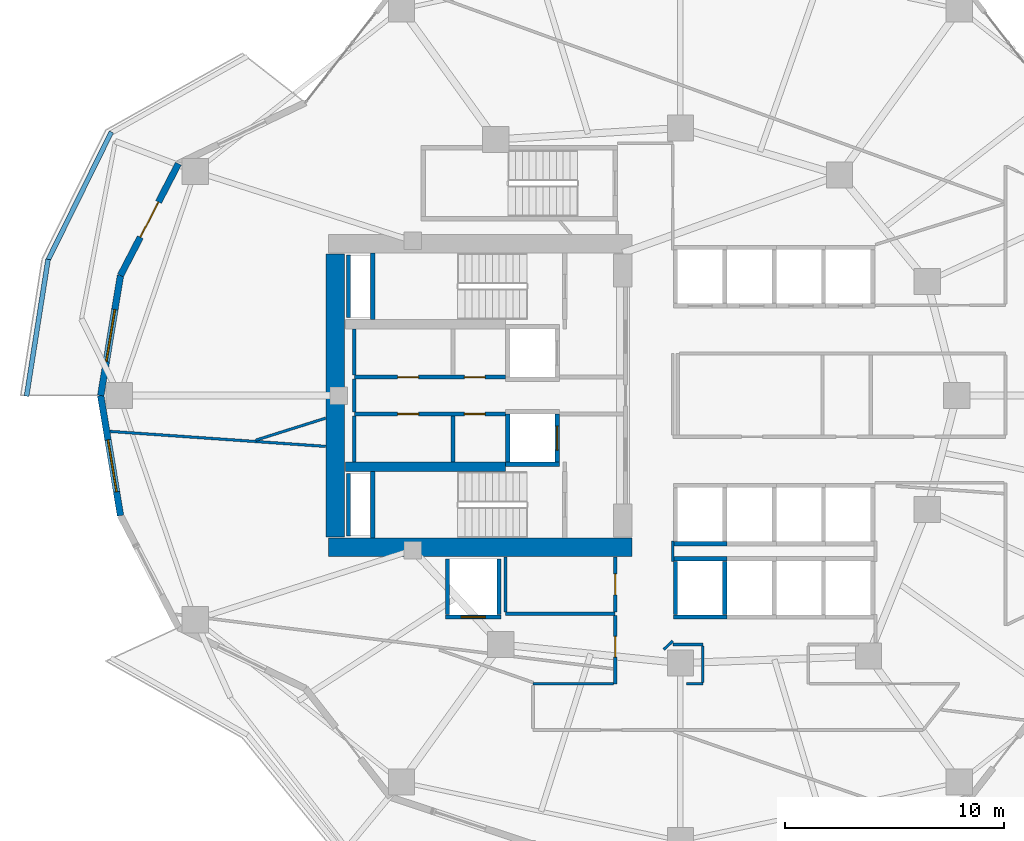
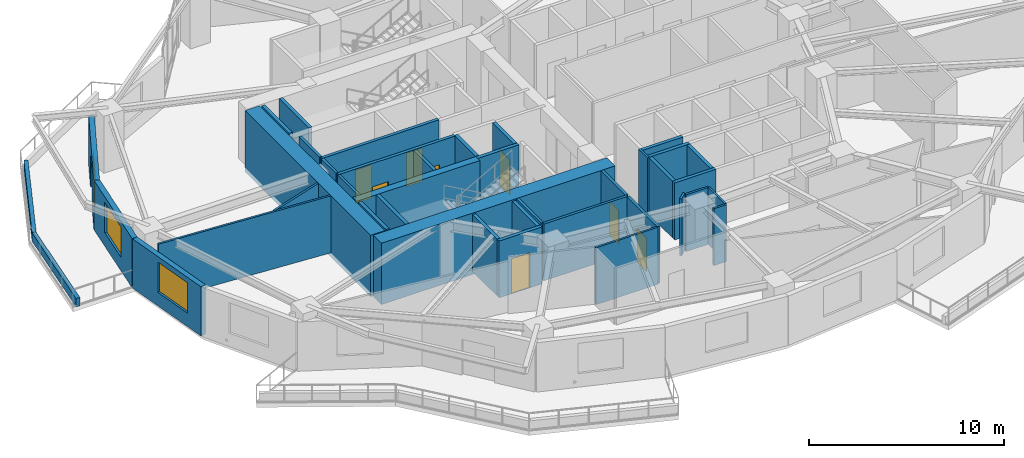
# One storey, part 5 of 12: 41 walls, 9 doors, 2 windows, 11 openings.
"""IFC4 building model written with IfcOpenShell, lengths in metres."""

from ifc_helpers import new_model, si_unit, direction, frame, frame_2d, origin, place, context, subcontext, project, spatial, rectangle, extrude, material, layer, layer_set, type_object, element, fill, save


model = new_model("IFC4")

# Units and contexts
model_context = context("Model", 3, precision=1e-05, world=origin(), true_north=direction((0.0, 1.0)))
body_context = subcontext(model_context, "Body", "Model", "MODEL_VIEW")
ifc_project = project(units=[si_unit("LENGTHUNIT", "METRE"), si_unit("AREAUNIT", "SQUARE_METRE"), si_unit("VOLUMEUNIT", "CUBIC_METRE"), si_unit("PLANEANGLEUNIT", "RADIAN"), si_unit("MASSUNIT", "GRAM", prefix="KILO")], contexts=[model_context])

# Site, building, storey
site_placement = place(None, origin())
site = spatial("IfcSite", under=ifc_project, at=site_placement, CompositionType="ELEMENT")
building_placement = place(site_placement, origin())
building = spatial("IfcBuilding", under=site, at=building_placement, Name="Kolvaren Gate Tower and Convention Centre", CompositionType="ELEMENT")
storey_placement = place(building_placement, frame((0.0, 0.0, 84.25)))
storey = spatial("IfcBuildingStorey", under=building, at=storey_placement, Name="L20", CompositionType="ELEMENT", Elevation=84.25)

# Wall, openings, doors
ifc_material_1 = material(Name="Autoclaved Aerated Masonry Blockwork Class 4 (4.0 MPa)", Category="masonry")
ifc_layer_1 = layer(ifc_material_1, 0.179931640625)
ifc_layer_set_1 = layer_set([ifc_layer_1], Name="Autoclaved Aerated Masonry Blockwork Class 4 (4.0 MPa)")
wall_type_1 = type_object("IfcWallType", Name="ARCH-WL-COMP-180", PredefinedType="SOLIDWALL", material=ifc_layer_set_1)
wall_1_placement = place(storey_placement, frame((15.25, 27.840087890625, 0.0), z_axis=(0.0, 0.0, 1.0), x_axis=(1.0, 0.0, 0.0)))
wall_1 = element("IfcWall", 1, at=wall_1_placement, inside=storey, type_object=wall_type_1, Name="Interior Partition WL-L20-INT-004", PredefinedType="SOLIDWALL", context=body_context, shape_type="SweptSolid", body=[
    extrude(rectangle(XDim=6.89990234375, YDim=0.179931640625, at=frame_2d((3.449951171875, 0.0))), origin(), (0.0, 0.0, 1.0), 3.570068359375),
])
opening_1_placement = place(wall_1_placement, frame((5.02001953125, 0.0, 0.0)))
opening_1 = element("IfcOpeningElement", 2, at=opening_1_placement, cuts=wall_1, Name="Opening DR-01", PredefinedType="OPENING", context=body_context, shape_type="SweptSolid", body=[
    extrude(rectangle(XDim=0.949951171875, YDim=2.10009765625, at=frame_2d((0.47509765625, 1.050048828125))), frame((0.0, 0.099853515625, 0.0), z_axis=(0.0, -1.0, 0.0), x_axis=(1.0, 0.0, 0.0)), (0.0, 0.0, 1.0), 0.199951171875),
])
opening_2_placement = place(wall_1_placement, frame((1.97998046875, 0.0, 0.0)))
opening_2 = element("IfcOpeningElement", 3, at=opening_2_placement, cuts=wall_1, Name="Opening DR-01", PredefinedType="OPENING", context=body_context, shape_type="SweptSolid", body=[
    extrude(rectangle(XDim=0.949951171875, YDim=2.10009765625, at=frame_2d((0.47509765625, 1.050048828125))), frame((0.0, 0.099853515625, 0.0), z_axis=(0.0, -1.0, 0.0), x_axis=(1.0, 0.0, 0.0)), (0.0, 0.0, 1.0), 0.199951171875),
])
ifc_material_2 = material(Name="Painted Architectural Steelwork ASTM A500 Grade C 345 MPa", Category="steel")
door_type_1 = type_object("IfcDoorType", Name="ARCH-DR-RISER-950", OperationType="SINGLE_SWING_RIGHT", PredefinedType="DOOR", material=ifc_material_2)
door_1_placement = place(opening_1_placement, origin())
door_1 = element("IfcDoor", 4, at=door_1_placement, inside=storey, type_object=door_type_1, Name="Electrical Switchgear Closet Door", OperationType="SINGLE_SWING_LEFT", OverallHeight=2.10009765625, OverallWidth=0.949951171875, PredefinedType="DOOR", context=body_context, shape_type="SweptSolid", body=[
    extrude(rectangle(XDim=0.949951171875, YDim=2.10009765625, at=frame_2d((0.47509765625, 1.050048828125))), frame((0.0, 0.02490234375, 0.0), z_axis=(0.0, -1.0, 0.0), x_axis=(1.0, 0.0, 0.0)), (0.0, 0.0, 1.0), 0.050048828125),
])
fill(opening_1, door_1)
door_2_placement = place(opening_2_placement, origin())
door_2 = element("IfcDoor", 5, at=door_2_placement, inside=storey, type_object=door_type_1, Name="Staff Powder Washroom Door", OperationType="SINGLE_SWING_LEFT", OverallHeight=2.10009765625, OverallWidth=0.949951171875, PredefinedType="DOOR", context=body_context, shape_type="SweptSolid", body=[
    extrude(rectangle(XDim=0.949951171875, YDim=2.10009765625, at=frame_2d((0.47509765625, 1.050048828125))), frame((0.0, 0.02490234375, 0.0), z_axis=(0.0, -1.0, 0.0), x_axis=(1.0, 0.0, 0.0)), (0.0, 0.0, 1.0), 0.050048828125),
])
fill(opening_2, door_2)

wall_2_placement = place(storey_placement, frame((15.25, 26.159912109375, 0.0), z_axis=(0.0, 0.0, 1.0), x_axis=(1.0, 0.0, 0.0)))
wall_2 = element("IfcWall", 6, at=wall_2_placement, inside=storey, type_object=wall_type_1, Name="Interior Partition WL-L20-INT-005", PredefinedType="SOLIDWALL", context=body_context, shape_type="SweptSolid", body=[
    extrude(rectangle(XDim=6.89990234375, YDim=0.179931640625, at=frame_2d((3.449951171875, 0.0))), origin(), (0.0, 0.0, 1.0), 3.570068359375),
])
opening_3_placement = place(wall_2_placement, frame((5.02001953125, 0.0, 0.0)))
opening_3 = element("IfcOpeningElement", 7, at=opening_3_placement, cuts=wall_2, Name="Opening DR-01", PredefinedType="OPENING", context=body_context, shape_type="SweptSolid", body=[
    extrude(rectangle(XDim=0.949951171875, YDim=2.10009765625, at=frame_2d((0.47509765625, 1.050048828125))), frame((0.0, 0.099853515625, 0.0), z_axis=(0.0, -1.0, 0.0), x_axis=(1.0, 0.0, 0.0)), (0.0, 0.0, 1.0), 0.199951171875),
])
opening_4_placement = place(wall_2_placement, frame((1.97998046875, 0.0, 0.0)))
opening_4 = element("IfcOpeningElement", 8, at=opening_4_placement, cuts=wall_2, Name="Opening DR-01", PredefinedType="OPENING", context=body_context, shape_type="SweptSolid", body=[
    extrude(rectangle(XDim=0.949951171875, YDim=2.10009765625, at=frame_2d((0.47509765625, 1.050048828125))), frame((0.0, 0.099853515625, 0.0), z_axis=(0.0, -1.0, 0.0), x_axis=(1.0, 0.0, 0.0)), (0.0, 0.0, 1.0), 0.199951171875),
])
door_3_placement = place(opening_3_placement, origin())
door_3 = element("IfcDoor", 9, at=door_3_placement, inside=storey, type_object=door_type_1, Name="Domestic Water Meter Closet Door", OperationType="SINGLE_SWING_RIGHT", OverallHeight=2.10009765625, OverallWidth=0.949951171875, PredefinedType="DOOR", context=body_context, shape_type="SweptSolid", body=[
    extrude(rectangle(XDim=0.949951171875, YDim=2.10009765625, at=frame_2d((0.47509765625, 1.050048828125))), frame((0.0, 0.02490234375, 0.0), z_axis=(0.0, -1.0, 0.0), x_axis=(1.0, 0.0, 0.0)), (0.0, 0.0, 1.0), 0.050048828125),
])
fill(opening_3, door_3)
door_4_placement = place(opening_4_placement, origin())
door_4 = element("IfcDoor", 10, at=door_4_placement, inside=storey, type_object=door_type_1, Name="Janitor Equipment Store Door", OperationType="SINGLE_SWING_RIGHT", OverallHeight=2.10009765625, OverallWidth=0.949951171875, PredefinedType="DOOR", context=body_context, shape_type="SweptSolid", body=[
    extrude(rectangle(XDim=0.949951171875, YDim=2.10009765625, at=frame_2d((0.47509765625, 1.050048828125))), frame((0.0, 0.02490234375, 0.0), z_axis=(0.0, -1.0, 0.0), x_axis=(1.0, 0.0, 0.0)), (0.0, 0.0, 1.0), 0.050048828125),
])
fill(opening_4, door_4)

# Walls
wall_3_placement = place(storey_placement, frame((19.75, 23.9619140625, 0.0), z_axis=(0.0, 0.0, 1.0), x_axis=(0.0, 1.0, 0.0)))
element("IfcWall", 11, at=wall_3_placement, inside=storey, type_object=wall_type_1, Name="Interior Partition WL-L20-INT-007", PredefinedType="SOLIDWALL", context=body_context, shape_type="SweptSolid", body=[
    extrude(rectangle(XDim=2.106201171875, YDim=0.179931640625, at=frame_2d((1.05322265625, 0.0))), origin(), (0.0, 0.0, 1.0), 3.570068359375),
])
ifc_material_3 = material(Name="Fire-Rated Acoustic Gypsum Stud Partition", Category="gypsum")
ifc_layer_2 = layer(ifc_material_3, 0.1201171875)
ifc_layer_set_2 = layer_set([ifc_layer_2], Name="Fire-Rated Acoustic Gypsum Stud Partition")
wall_type_2 = type_object("IfcWallType", Name="ARCH-WL-PART-120", PredefinedType="PARTITIONING", material=ifc_layer_set_2)
wall_4_placement = place(storey_placement, frame((29.780029296875, 15.64990234375, 0.0), z_axis=(0.0, 0.0, 1.0), x_axis=(1.0, 0.0, 0.0)))
element("IfcWall", 12, at=wall_4_placement, inside=storey, type_object=wall_type_2, Name="Interior Partition WL-L20-INT-017", PredefinedType="PARTITIONING", context=body_context, shape_type="SweptSolid", body=[
    extrude(rectangle(XDim=1.369873046875, YDim=0.1201171875, at=frame_2d((0.68505859375, 0.0))), origin(), (0.0, 0.0, 1.0), 3.570068359375),
])
wall_5_placement = place(storey_placement, frame((23.39990234375, 13.85009765625, 0.0), z_axis=(0.0, 0.0, 1.0), x_axis=(1.0, 0.0, 0.0)))
element("IfcWall", 13, at=wall_5_placement, inside=storey, type_object=wall_type_2, Name="Interior Partition WL-L20-INT-020", PredefinedType="PARTITIONING", context=body_context, shape_type="SweptSolid", body=[
    extrude(rectangle(XDim=3.673095703125, YDim=0.1201171875, at=frame_2d((1.83642578125, 0.0))), origin(), (0.0, 0.0, 1.0), 3.570068359375),
])
wall_6_placement = place(storey_placement, frame((30.39111328125, 13.85009765625, 0.0), z_axis=(0.0, 0.0, 1.0), x_axis=(1.0, 0.0, 0.0)))
element("IfcWall", 14, at=wall_6_placement, inside=storey, type_object=wall_type_2, Name="Interior Partition WL-L20-INT-021", PredefinedType="PARTITIONING", context=body_context, shape_type="SweptSolid", body=[
    extrude(rectangle(XDim=0.7587890625, YDim=0.1201171875, at=frame_2d((0.37939453125, 0.0))), origin(), (0.0, 0.0, 1.0), 3.570068359375),
])
wall_7_placement = place(storey_placement, frame((29.780029296875, 19.43994140625, 0.0), z_axis=(0.0, 0.0, 1.0), x_axis=(0.0, 1.0, 0.0)))
element("IfcWall", 15, at=wall_7_placement, inside=storey, type_object=wall_type_2, Name="Interior Partition WL-L20-INT-028", PredefinedType="PARTITIONING", context=body_context, shape_type="SweptSolid", body=[
    extrude(rectangle(XDim=0.920166015625, YDim=0.1201171875, at=frame_2d((0.4599609375, 0.0))), origin(), (0.0, 0.0, 1.0), 3.570068359375),
])
wall_8_placement = place(storey_placement, frame((29.366943359375, 15.422119140625, 0.0), z_axis=(0.0, 0.0, 1.0), x_axis=(0.730667420492, 0.682733564893, 0.0)))
element("IfcWall", 16, at=wall_8_placement, inside=storey, type_object=wall_type_2, Name="Interior Partition WL-L20-INT-040", PredefinedType="PARTITIONING", context=body_context, shape_type="SweptSolid", body=[
    extrude(rectangle(XDim=0.5654296875, YDim=0.1201171875, at=frame_2d((0.28271484375, 0.0))), origin(), (0.0, 0.0, 1.0), 3.570068359375),
])
wall_9_placement = place(storey_placement, frame((31.14990234375, 13.912109375, 0.0), z_axis=(0.0, 0.0, 1.0), x_axis=(0.0, 1.0, 0.0)))
element("IfcWall", 17, at=wall_9_placement, inside=storey, type_object=wall_type_2, Name="Interior Partition WL-L20-INT-041", PredefinedType="PARTITIONING", context=body_context, shape_type="SweptSolid", body=[
    extrude(rectangle(XDim=1.67578125, YDim=0.1201171875, at=frame_2d((0.837890625, 0.0))), origin(), (0.0, 0.0, 1.0), 3.570068359375),
])
wall_10_placement = place(storey_placement, frame((4.1103515625, 25.365966796875, 0.0), z_axis=(0.0, 0.0, 1.0), x_axis=(0.997584166379, -0.069468201287, 0.0)))
element("IfcWall", 18, at=wall_10_placement, inside=storey, type_object=wall_type_2, Name="Interior Partition WL-L20-INT-042", PredefinedType="PARTITIONING", context=body_context, shape_type="SweptSolid", body=[
    extrude(rectangle(XDim=9.861572265625, YDim=0.1201171875, at=frame_2d((4.9306640625, 0.0))), origin(), (0.0, 0.0, 1.0), 3.570068359375),
])
wall_11_placement = place(storey_placement, frame((10.76220703125, 24.965087890625, 0.0), z_axis=(0.0, 0.0, 1.0), x_axis=(0.953640082092, 0.300949487168, 0.0)))
element("IfcWall", 19, at=wall_11_placement, inside=storey, type_object=wall_type_2, Name="Interior Partition WL-L20-INT-049", PredefinedType="PARTITIONING", context=body_context, shape_type="SweptSolid", body=[
    extrude(rectangle(XDim=3.340576171875, YDim=0.1201171875, at=frame_2d((1.67041015625, 0.0))), origin(), (0.0, 0.0, 1.0), 3.570068359375),
])
ifc_material_4 = material(Name="Piedmont Cream Honed Limestone Cladding", Category="masonry")
ifc_layer_3 = layer(ifc_material_4, 0.219970703125)
ifc_layer_set_3 = layer_set([ifc_layer_3], Name="Piedmont Cream Honed Limestone Cladding")
wall_type_3 = type_object("IfcWallType", Name="ARCH-WL-PLANTER-220", PredefinedType="PARAPET", material=ifc_layer_set_3)
wall_12_placement = place(storey_placement, frame((1.275390625, 33.153076171875, 0.0), z_axis=(0.0, 0.0, 1.0), x_axis=(0.442686636348, 0.89667638644, 0.0)))
element("IfcWall", 20, at=wall_12_placement, inside=storey, type_object=wall_type_3, Name="Vertical-Forest Balcony Stone Planter Kerb PK-L20-2.2", PredefinedType="PARAPET", context=body_context, shape_type="SweptSolid", body=[
    extrude(rectangle(XDim=6.544677734375, YDim=0.219970703125, at=frame_2d((3.2724609375, 0.0))), origin(), (0.0, 0.0, 1.0), 0.52001953125),
])
wall_13_placement = place(storey_placement, frame((0.305908203125, 26.970703125, 0.0), z_axis=(0.0, 0.0, 1.0), x_axis=(0.15545655238, 0.987842730561, 0.0)))
element("IfcWall", 21, at=wall_13_placement, inside=storey, type_object=wall_type_3, Name="Vertical-Forest Balcony Stone Planter Kerb PK-L20-2.3", PredefinedType="PARAPET", context=body_context, shape_type="SweptSolid", body=[
    extrude(rectangle(XDim=6.318115234375, YDim=0.219970703125, at=frame_2d((3.1591796875, 0.0))), origin(), (0.0, 0.0, 1.0), 0.52001953125),
])
ifc_layer_4 = layer(ifc_material_1, 0.199951171875)
ifc_layer_set_4 = layer_set([ifc_layer_4], Name="Autoclaved Aerated Masonry Blockwork Class 4 (4.0 MPa)")
wall_type_4 = type_object("IfcWallType", Name="ARCH-WL-SHAFT-200", PredefinedType="SOLIDWALL", material=ifc_layer_set_4)
wall_14_placement = place(storey_placement, frame((22.14990234375, 23.860107421875, 0.0), z_axis=(0.0, 0.0, 1.0), x_axis=(1.0, 0.0, 0.0)))
element("IfcWall", 22, at=wall_14_placement, inside=storey, type_object=wall_type_4, Name="Elevator FF-02 L20 Fire Shaft Wall S", PredefinedType="SOLIDWALL", context=body_context, shape_type="SweptSolid", body=[
    extrude(rectangle(XDim=2.4501953125, YDim=0.199951171875, at=frame_2d((1.22509765625, 0.0))), origin(), (0.0, 0.0, 1.0), 3.570068359375),
])
wall_15_placement = place(storey_placement, frame((22.25, 23.969970703125, 0.0), z_axis=(0.0, 0.0, 1.0), x_axis=(0.0, 1.0, 0.0)))
element("IfcWall", 23, at=wall_15_placement, inside=storey, type_object=wall_type_4, Name="Elevator FF-02 L20 Fire Shaft Wall W", PredefinedType="SOLIDWALL", context=body_context, shape_type="SweptSolid", body=[
    extrude(rectangle(XDim=2.179931640625, YDim=0.199951171875, at=frame_2d((1.08984375, 0.0))), origin(), (0.0, 0.0, 1.0), 3.570068359375),
])

# Wall, opening, door
wall_16_placement = place(storey_placement, frame((24.5, 23.969970703125, 0.0), z_axis=(0.0, 0.0, 1.0), x_axis=(0.0, 1.0, 0.0)))
wall_16 = element("IfcWall", 24, at=wall_16_placement, inside=storey, type_object=wall_type_4, Name="Elevator FF-02 L20 Fire Shaft Wall E", PredefinedType="SOLIDWALL", context=body_context, shape_type="SweptSolid", body=[
    extrude(rectangle(XDim=2.179931640625, YDim=0.199951171875, at=frame_2d((1.08984375, 0.0))), origin(), (0.0, 0.0, 1.0), 3.570068359375),
])
opening_5_placement = place(wall_16_placement, frame((0.5400390625, 0.0, 0.0)))
opening_5 = element("IfcOpeningElement", 25, at=opening_5_placement, cuts=wall_16, Name="Opening LD", PredefinedType="OPENING", context=body_context, shape_type="SweptSolid", body=[
    extrude(rectangle(XDim=1.10009765625, YDim=2.199951171875, at=frame_2d((0.550048828125, 1.10009765625))), frame((0.0, 0.10986328125, 0.0), z_axis=(0.0, -1.0, 0.0), x_axis=(1.0, 0.0, 0.0)), (0.0, 0.0, 1.0), 0.219970703125),
])
ifc_material_5 = material(Name="Brushed Stainless Steel Grade 316L", Category="steel")
door_type_2 = type_object("IfcDoorType", Name="ARCH-DR-LIFT-1100", OperationType="SLIDING_TO_LEFT", PredefinedType="DOOR", material=ifc_material_5)
door_5_placement = place(opening_5_placement, origin())
door_5 = element("IfcDoor", 26, at=door_5_placement, inside=storey, type_object=door_type_2, Name="Elevator FF-02 L20 Sliding Landing Door", OperationType="SLIDING_TO_LEFT", OverallHeight=2.199951171875, OverallWidth=1.10009765625, PredefinedType="DOOR", context=body_context, shape_type="SweptSolid", body=[
    extrude(rectangle(XDim=1.10009765625, YDim=2.199951171875, at=frame_2d((0.550048828125, 1.10009765625))), frame((0.0, 0.02490234375, 0.0), z_axis=(0.0, -1.0, 0.0), x_axis=(1.0, 0.0, 0.0)), (0.0, 0.0, 1.0), 0.050048828125),
])
fill(opening_5, door_5)

wall_17_placement = place(storey_placement, frame((19.39990234375, 16.89990234375, 0.0), z_axis=(0.0, 0.0, 1.0), x_axis=(1.0, 0.0, 0.0)))
wall_17 = element("IfcWall", 27, at=wall_17_placement, inside=storey, type_object=wall_type_4, Name="Elevator SV-01 L20 Fire Shaft Wall S", PredefinedType="SOLIDWALL", context=body_context, shape_type="SweptSolid", body=[
    extrude(rectangle(XDim=2.550048828125, YDim=0.199951171875, at=frame_2d((1.27490234375, 0.0))), origin(), (0.0, 0.0, 1.0), 3.570068359375),
])
opening_6_placement = place(wall_17_placement, frame((0.72509765625, 0.0, 0.0)))
opening_6 = element("IfcOpeningElement", 28, at=opening_6_placement, cuts=wall_17, Name="Opening LD", PredefinedType="OPENING", context=body_context, shape_type="SweptSolid", body=[
    extrude(rectangle(XDim=1.10009765625, YDim=2.199951171875, at=frame_2d((0.550048828125, 1.10009765625))), frame((0.0, 0.10986328125, 0.0), z_axis=(0.0, -1.0, 0.0), x_axis=(1.0, 0.0, 0.0)), (0.0, 0.0, 1.0), 0.219970703125),
])
door_6_placement = place(opening_6_placement, origin())
door_6 = element("IfcDoor", 29, at=door_6_placement, inside=storey, type_object=door_type_2, Name="Elevator SV-01 L20 Sliding Landing Door", OperationType="SLIDING_TO_LEFT", OverallHeight=2.199951171875, OverallWidth=1.10009765625, PredefinedType="DOOR", context=body_context, shape_type="SweptSolid", body=[
    extrude(rectangle(XDim=1.10009765625, YDim=2.199951171875, at=frame_2d((0.550048828125, 1.10009765625))), frame((0.0, 0.02490234375, 0.0), z_axis=(0.0, -1.0, 0.0), x_axis=(1.0, 0.0, 0.0)), (0.0, 0.0, 1.0), 0.050048828125),
])
fill(opening_6, door_6)

# Walls
for number, where, z_axis, x_axis, name in (
    (30, (19.5, 17.010009765625, 0.0), (0.0, 0.0, 1.0), (0.0, 1.0, 0.0), "Elevator SV-01 L20 Fire Shaft Wall W"),
    (31, (21.85009765625, 17.010009765625, 0.0), (0.0, 0.0, 1.0), (0.0, 1.0, 0.0), "Elevator SV-01 L20 Fire Shaft Wall E"),
):
    element("IfcWall", number, at=place(storey_placement, frame(where, z_axis=z_axis, x_axis=x_axis)), inside=storey, type_object=wall_type_4, Name=name, PredefinedType="SOLIDWALL", context=body_context, shape_type="SweptSolid", body=[
        extrude(rectangle(XDim=2.530029296875, YDim=0.199951171875, at=frame_2d((1.26513671875, 0.0))), origin(), (0.0, 0.0, 1.0), 3.570068359375),
    ])
for number, where, z_axis, x_axis, name in (
    (32, (29.800048828125, 19.550048828125, 0.0), (0.0, 0.0, 1.0), (1.0, 0.0, 0.0), "Elevator PL-05 L20 Fire Shaft Wall N"),
    (33, (29.800048828125, 16.89990234375, 0.0), (0.0, 0.0, 1.0), (1.0, 0.0, 0.0), "Elevator PL-05 L20 Fire Shaft Wall S"),
):
    element("IfcWall", number, at=place(storey_placement, frame(where, z_axis=z_axis, x_axis=x_axis)), inside=storey, type_object=wall_type_4, Name=name, PredefinedType="SOLIDWALL", context=body_context, shape_type="SweptSolid", body=[
        extrude(rectangle(XDim=2.449951171875, YDim=0.199951171875, at=frame_2d((1.22509765625, 0.0))), origin(), (0.0, 0.0, 1.0), 3.570068359375),
    ])
for number, where, z_axis, x_axis, name in (
    (34, (29.89990234375, 17.010009765625, 0.0), (0.0, 0.0, 1.0), (0.0, 1.0, 0.0), "Elevator PL-05 L20 Fire Shaft Wall W"),
    (35, (32.14990234375, 17.010009765625, 0.0), (0.0, 0.0, 1.0), (0.0, 1.0, 0.0), "Elevator PL-05 L20 Fire Shaft Wall E"),
):
    element("IfcWall", number, at=place(storey_placement, frame(where, z_axis=z_axis, x_axis=x_axis)), inside=storey, type_object=wall_type_4, Name=name, PredefinedType="SOLIDWALL", context=body_context, shape_type="SweptSolid", body=[
        extrude(rectangle(XDim=2.429931640625, YDim=0.199951171875, at=frame_2d((1.21484375, 0.0))), origin(), (0.0, 0.0, 1.0), 3.570068359375),
    ])
wall_18_placement = place(storey_placement, frame((29.800048828125, 20.25, 0.0), z_axis=(0.0, 0.0, 1.0), x_axis=(1.0, 0.0, 0.0)))
element("IfcWall", 36, at=wall_18_placement, inside=storey, type_object=wall_type_4, Name="Elevator PL-09 L20 Fire Shaft Wall S", PredefinedType="SOLIDWALL", context=body_context, shape_type="SweptSolid", body=[
    extrude(rectangle(XDim=2.449951171875, YDim=0.199951171875, at=frame_2d((1.22509765625, 0.0))), origin(), (0.0, 0.0, 1.0), 3.570068359375),
])
for number, where, z_axis, x_axis, name in (
    (37, (14.989990234375, 30.550048828125, 0.0), (0.0, 0.0, 1.0), (0.0, 1.0, 0.0), "Vertical Shaft HVR L20 EI-120 Enclosure Wall W"),
    (38, (14.989990234375, 20.60009765625, 0.0), (0.0, 0.0, 1.0), (0.0, 1.0, 0.0), "Vertical Shaft MPR L20 EI-120 Enclosure Wall W"),
):
    element("IfcWall", number, at=place(storey_placement, frame(where, z_axis=z_axis, x_axis=x_axis)), inside=storey, type_object=wall_type_4, Name=name, PredefinedType="SOLIDWALL", context=body_context, shape_type="SweptSolid", body=[
        extrude(rectangle(XDim=2.849853515625, YDim=0.199951171875, at=frame_2d((1.4248046875, 0.0))), origin(), (0.0, 0.0, 1.0), 3.570068359375),
    ])

# Wall, opening, door
ifc_layer_5 = layer(ifc_material_4, 0.300048828125)
ifc_layer_set_5 = layer_set([ifc_layer_5], Name="Piedmont Cream Honed Limestone Cladding")
wall_type_5 = type_object("IfcWallType", Name="ARCH-WL-STONE-300", PredefinedType="SOLIDWALL", material=ifc_layer_set_5)
wall_19_placement = place(storey_placement, frame((4.58837890625, 32.47412109375, 0.0), z_axis=(0.0, 0.0, 1.0), x_axis=(0.459800981414, 0.888021991558, 0.0)))
wall_19 = element("IfcWall", 39, at=wall_19_placement, inside=storey, type_object=wall_type_5, Name="Tower L20 Honed Stone Spandrel Wall EW-10", PredefinedType="SOLIDWALL", context=body_context, shape_type="SweptSolid", body=[
    extrude(rectangle(XDim=5.744140625, YDim=0.300048828125, at=frame_2d((2.8720703125, 0.0))), origin(), (0.0, 0.0, 1.0), 3.093017578125),
])
opening_7_placement = place(wall_19_placement, frame((1.971923828125, 0.0, 0.0)))
opening_7 = element("IfcOpeningElement", 40, at=opening_7_placement, cuts=wall_19, Name="Opening DB-01", PredefinedType="OPENING", context=body_context, shape_type="SweptSolid", body=[
    extrude(rectangle(XDim=1.800048828125, YDim=2.25, at=frame_2d((0.89990234375, 1.125))), frame((0.0, 0.159912109375, 0.0), z_axis=(0.0, -1.0, 0.0), x_axis=(1.0, 0.0, 0.0)), (0.0, 0.0, 1.0), 0.320068359375),
])
ifc_material_6 = material(Name="Anodized Architectural Aluminium Alloy 6063-T6", Category="aluminium")
door_type_3 = type_object("IfcDoorType", Name="ARCH-DR-BALC-1800", OperationType="SLIDING_TO_LEFT", PredefinedType="DOOR", material=ifc_material_6)
door_7_placement = place(opening_7_placement, origin())
door_7 = element("IfcDoor", 41, at=door_7_placement, inside=storey, type_object=door_type_3, Name="Planted Sky Terrace Access Door DB-L20-10", OperationType="SLIDING_TO_LEFT", OverallHeight=2.25, OverallWidth=1.800048828125, PredefinedType="DOOR", context=body_context, shape_type="SweptSolid", body=[
    extrude(rectangle(XDim=1.800048828125, YDim=2.25, at=frame_2d((0.89990234375, 1.125))), frame((0.0, 0.02490234375, 0.0), z_axis=(0.0, -1.0, 0.0), x_axis=(1.0, 0.0, 0.0)), (0.0, 0.0, 1.0), 0.050048828125),
])
fill(opening_7, door_7)

# Wall, opening, window
wall_20_placement = place(storey_placement, frame((3.6875, 27.0, 0.0), z_axis=(0.0, 0.0, 1.0), x_axis=(0.162386212206, 0.986727276447, 0.0)))
wall_20 = element("IfcWall", 42, at=wall_20_placement, inside=storey, type_object=wall_type_5, Name="Tower L20 Honed Stone Spandrel Wall EW-11", PredefinedType="SOLIDWALL", context=body_context, shape_type="SweptSolid", body=[
    extrude(rectangle(XDim=5.5478515625, YDim=0.300048828125, at=frame_2d((2.77392578125, 0.0))), origin(), (0.0, 0.0, 1.0), 3.093017578125),
])
opening_8_placement = place(wall_20_placement, frame((1.573974609375, 0.0, 0.85009765625)))
opening_8 = element("IfcOpeningElement", 43, at=opening_8_placement, cuts=wall_20, Name="Opening W-01", PredefinedType="OPENING", context=body_context, shape_type="SweptSolid", body=[
    extrude(rectangle(XDim=2.39990234375, YDim=1.89990234375, at=frame_2d((1.199951171875, 0.949951171875))), frame((0.0, 0.159912109375, 0.0), z_axis=(0.0, -1.0, 0.0), x_axis=(1.0, 0.0, 0.0)), (0.0, 0.0, 1.0), 0.320068359375),
])
ifc_material_7 = material(Name="Low-E Triple Insulated Glazing Unit 44 mm", Category="glass")
window_type = type_object("IfcWindowType", Name="ARCH-WN-OFF-2400", PartitioningType="SINGLE_PANEL", PredefinedType="WINDOW", material=ifc_material_7)
window_1_placement = place(opening_8_placement, origin())
window_1 = element("IfcWindow", 44, at=window_1_placement, inside=storey, type_object=window_type, Name="Tower L20 Punched Stone Facade Window W-11", OverallHeight=1.89990234375, OverallWidth=2.39990234375, PartitioningType="SINGLE_PANEL", PredefinedType="WINDOW", context=body_context, shape_type="SweptSolid", body=[
    extrude(rectangle(XDim=2.39990234375, YDim=1.89990234375, at=frame_2d((1.199951171875, 0.949951171875))), frame((0.0, 0.030029296875, 0.0), z_axis=(0.0, -1.0, 0.0), x_axis=(1.0, 0.0, 0.0)), (0.0, 0.0, 1.0), 0.06005859375),
])
fill(opening_8, window_1)

wall_21_placement = place(storey_placement, frame((3.6875, 27.0, 0.0), z_axis=(0.0, 0.0, 1.0), x_axis=(0.162386212206, -0.986727276447, 0.0)))
wall_21 = element("IfcWall", 45, at=wall_21_placement, inside=storey, type_object=wall_type_5, Name="Tower L20 Honed Stone Spandrel Wall EW-12", PredefinedType="SOLIDWALL", context=body_context, shape_type="SweptSolid", body=[
    extrude(rectangle(XDim=5.5478515625, YDim=0.300048828125, at=frame_2d((2.77392578125, 0.0))), origin(), (0.0, 0.0, 1.0), 3.093017578125),
])
opening_9_placement = place(wall_21_placement, frame((2.050048828125, 0.0, 0.85009765625)))
opening_9 = element("IfcOpeningElement", 46, at=opening_9_placement, cuts=wall_21, Name="Opening W-01", PredefinedType="OPENING", context=body_context, shape_type="SweptSolid", body=[
    extrude(rectangle(XDim=2.39990234375, YDim=1.89990234375, at=frame_2d((1.199951171875, 0.949951171875))), frame((0.0, 0.159912109375, 0.0), z_axis=(0.0, -1.0, 0.0), x_axis=(1.0, 0.0, 0.0)), (0.0, 0.0, 1.0), 0.320068359375),
])
window_2_placement = place(opening_9_placement, origin())
window_2 = element("IfcWindow", 47, at=window_2_placement, inside=storey, type_object=window_type, Name="Tower L20 Punched Stone Facade Window W-12", OverallHeight=1.89990234375, OverallWidth=2.39990234375, PartitioningType="SINGLE_PANEL", PredefinedType="WINDOW", context=body_context, shape_type="SweptSolid", body=[
    extrude(rectangle(XDim=2.39990234375, YDim=1.89990234375, at=frame_2d((1.199951171875, 0.949951171875))), frame((0.0, 0.030029296875, 0.0), z_axis=(0.0, -1.0, 0.0), x_axis=(1.0, 0.0, 0.0)), (0.0, 0.0, 1.0), 0.06005859375),
])
fill(opening_9, window_2)

# Walls
ifc_material_8 = material(Name="Moisture-Resistant Cement-Board Acoustic Partition", Category="gypsum")
ifc_layer_6 = layer(ifc_material_8, 0.14990234375)
ifc_layer_set_6 = layer_set([ifc_layer_6], Name="Moisture-Resistant Cement-Board Acoustic Partition")
wall_type_6 = type_object("IfcWallType", Name="ARCH-WL-WET-150", PredefinedType="PARTITIONING", material=ifc_layer_set_6)
wall_22_placement = place(storey_placement, frame((15.25, 23.9619140625, 0.0), z_axis=(0.0, 0.0, 1.0), x_axis=(0.0, 1.0, 0.0)))
element("IfcWall", 48, at=wall_22_placement, inside=storey, type_object=wall_type_6, Name="Interior Partition WL-L20-INT-006", PredefinedType="PARTITIONING", context=body_context, shape_type="SweptSolid", body=[
    extrude(rectangle(XDim=2.106201171875, YDim=0.14990234375, at=frame_2d((1.05322265625, 0.0))), origin(), (0.0, 0.0, 1.0), 3.570068359375),
])
wall_23_placement = place(storey_placement, frame((15.25, 26.251953125, 0.0), z_axis=(0.0, 0.0, 1.0), x_axis=(0.0, 1.0, 0.0)))
element("IfcWall", 49, at=wall_23_placement, inside=storey, type_object=wall_type_6, Name="Interior Partition WL-L20-INT-006 (2)", PredefinedType="PARTITIONING", context=body_context, shape_type="SweptSolid", body=[
    extrude(rectangle(XDim=1.49609375, YDim=0.14990234375, at=frame_2d((0.748046875, 0.0))), origin(), (0.0, 0.0, 1.0), 3.570068359375),
])
wall_24_placement = place(storey_placement, frame((15.25, 27.931884765625, 0.0), z_axis=(0.0, 0.0, 1.0), x_axis=(0.0, 1.0, 0.0)))
element("IfcWall", 50, at=wall_24_placement, inside=storey, type_object=wall_type_6, Name="Interior Partition WL-L20-INT-006 (3)", PredefinedType="PARTITIONING", context=body_context, shape_type="SweptSolid", body=[
    extrude(rectangle(XDim=2.106201171875, YDim=0.14990234375, at=frame_2d((1.05322265625, 0.0))), origin(), (0.0, 0.0, 1.0), 3.570068359375),
])
wall_25_placement = place(storey_placement, frame((22.14990234375, 17.050048828125, 0.0), z_axis=(0.0, 0.0, 1.0), x_axis=(1.0, 0.0, 0.0)))
element("IfcWall", 51, at=wall_25_placement, inside=storey, type_object=wall_type_6, Name="Interior Partition WL-L20-INT-009", PredefinedType="PARTITIONING", context=body_context, shape_type="SweptSolid", body=[
    extrude(rectangle(XDim=5.0, YDim=0.14990234375, at=frame_2d((2.5, 0.0))), origin(), (0.0, 0.0, 1.0), 3.570068359375),
])
wall_26_placement = place(storey_placement, frame((22.14990234375, 17.126953125, 0.0), z_axis=(0.0, 0.0, 1.0), x_axis=(0.0, 1.0, 0.0)))
element("IfcWall", 52, at=wall_26_placement, inside=storey, type_object=wall_type_6, Name="Interior Partition WL-L20-INT-010", PredefinedType="PARTITIONING", context=body_context, shape_type="SweptSolid", body=[
    extrude(rectangle(XDim=2.52099609375, YDim=0.14990234375, at=frame_2d((1.260498046875, 0.0))), origin(), (0.0, 0.0, 1.0), 3.570068359375),
])

# Wall, opening, door
wall_27_placement = place(storey_placement, frame((27.14990234375, 13.85009765625, 0.0), z_axis=(0.0, 0.0, 1.0), x_axis=(0.0, 1.0, 0.0)))
wall_27 = element("IfcWall", 53, at=wall_27_placement, inside=storey, type_object=wall_type_6, Name="Interior Partition WL-L20-INT-011", PredefinedType="PARTITIONING", context=body_context, shape_type="SweptSolid", body=[
    extrude(rectangle(XDim=3.122802734375, YDim=0.14990234375, at=frame_2d((1.5615234375, 0.0))), origin(), (0.0, 0.0, 1.0), 3.570068359375),
])
opening_10_placement = place(wall_27_placement, frame((1.218017578125, 0.0, 0.0)))
opening_10 = element("IfcOpeningElement", 54, at=opening_10_placement, cuts=wall_27, Name="Opening DR-01", PredefinedType="OPENING", context=body_context, shape_type="SweptSolid", body=[
    extrude(rectangle(XDim=0.949951171875, YDim=2.10009765625, at=frame_2d((0.47509765625, 1.050048828125))), frame((0.0, 0.0849609375, 0.0), z_axis=(0.0, -1.0, 0.0), x_axis=(1.0, 0.0, 0.0)), (0.0, 0.0, 1.0), 0.169921875),
])
door_8_placement = place(opening_10_placement, origin())
door_8 = element("IfcDoor", 55, at=door_8_placement, inside=storey, type_object=door_type_1, Name="Operations Support Staff Centre Door", OperationType="SINGLE_SWING_RIGHT", OverallHeight=2.10009765625, OverallWidth=0.949951171875, PredefinedType="DOOR", context=body_context, shape_type="SweptSolid", body=[
    extrude(rectangle(XDim=0.949951171875, YDim=2.10009765625, at=frame_2d((0.47509765625, 1.050048828125))), frame((0.0, 0.02490234375, 0.0), z_axis=(0.0, -1.0, 0.0), x_axis=(1.0, 0.0, 0.0)), (0.0, 0.0, 1.0), 0.050048828125),
])
fill(opening_10, door_8)

wall_28_placement = place(storey_placement, frame((27.14990234375, 17.126953125, 0.0), z_axis=(0.0, 0.0, 1.0), x_axis=(0.0, 1.0, 0.0)))
wall_28 = element("IfcWall", 56, at=wall_28_placement, inside=storey, type_object=wall_type_6, Name="Interior Partition WL-L20-INT-011 (2)", PredefinedType="PARTITIONING", context=body_context, shape_type="SweptSolid", body=[
    extrude(rectangle(XDim=2.52099609375, YDim=0.14990234375, at=frame_2d((1.260498046875, 0.0))), origin(), (0.0, 0.0, 1.0), 3.570068359375),
])
opening_11_placement = place(wall_28_placement, frame((0.785400390625, 0.0, 0.0)))
opening_11 = element("IfcOpeningElement", 57, at=opening_11_placement, cuts=wall_28, Name="Opening DR-01", PredefinedType="OPENING", context=body_context, shape_type="SweptSolid", body=[
    extrude(rectangle(XDim=0.949951171875, YDim=2.10009765625, at=frame_2d((0.47509765625, 1.050048828125))), frame((0.0, 0.0849609375, 0.0), z_axis=(0.0, -1.0, 0.0), x_axis=(1.0, 0.0, 0.0)), (0.0, 0.0, 1.0), 0.169921875),
])
door_9_placement = place(opening_11_placement, origin())
door_9 = element("IfcDoor", 58, at=door_9_placement, inside=storey, type_object=door_type_1, Name="West Linen and Supply Store Door", OperationType="SINGLE_SWING_LEFT", OverallHeight=2.10009765625, OverallWidth=0.949951171875, PredefinedType="DOOR", context=body_context, shape_type="SweptSolid", body=[
    extrude(rectangle(XDim=0.949951171875, YDim=2.10009765625, at=frame_2d((0.47509765625, 1.050048828125))), frame((0.0, 0.02490234375, 0.0), z_axis=(0.0, -1.0, 0.0), x_axis=(1.0, 0.0, 0.0)), (0.0, 0.0, 1.0), 0.050048828125),
])
fill(opening_11, door_9)

# Walls
ifc_material_9 = material(Name="Concrete C50/60", Category="concrete")
ifc_layer_7 = layer(ifc_material_9, 0.419921875)
ifc_layer_set_7 = layer_set([ifc_layer_7], Name="Concrete C50/60")
wall_type_7 = type_object("IfcWallType", Name="STR-WL-CONV-420", PredefinedType="SHEAR", material=ifc_layer_set_7)
wall_29_placement = place(storey_placement, frame((14.85009765625, 23.75, -0.280029296875), z_axis=(0.0, 0.0, 1.0), x_axis=(1.0, 0.0, 0.0)))
element("IfcWall", 59, at=wall_29_placement, inside=storey, type_object=wall_type_7, Name="Tower L20 Offset Core Shear Wall WS", PredefinedType="SHEAR", context=body_context, shape_type="SweptSolid", body=[
    extrude(rectangle(XDim=7.2998046875, YDim=0.419921875, at=frame_2d((3.64990234375, 0.0))), origin(), (0.0, 0.0, 1.0), 3.85009765625),
])
ifc_material_10 = material(Name="Concrete C70/85", Category="concrete")
ifc_layer_8 = layer(ifc_material_10, 0.85009765625)
ifc_layer_set_8 = layer_set([ifc_layer_8], Name="Concrete C70/85")
wall_type_8 = type_object("IfcWallType", Name="STR-WL-CORE-850", PredefinedType="SHEAR", material=ifc_layer_set_8)
wall_30_placement = place(storey_placement, frame((14.074951171875, 20.074951171875, -0.280029296875), z_axis=(0.0, 0.0, 1.0), x_axis=(1.0, 0.0, 0.0)))
element("IfcWall", 60, at=wall_30_placement, inside=storey, type_object=wall_type_8, Name="Tower L20 Offset Core Shear Wall S", PredefinedType="SHEAR", context=body_context, shape_type="SweptSolid", body=[
    extrude(rectangle(XDim=13.85009765625, YDim=0.85009765625, at=frame_2d((6.925048828125, 0.0))), origin(), (0.0, 0.0, 1.0), 3.85009765625),
])
wall_31_placement = place(storey_placement, frame((14.375, 20.550048828125, -0.280029296875), z_axis=(0.0, 0.0, 1.0), x_axis=(0.0, 1.0, 0.0)))
element("IfcWall", 61, at=wall_31_placement, inside=storey, type_object=wall_type_8, Name="Tower L20 Offset Core Shear Wall W", PredefinedType="SHEAR", context=body_context, shape_type="SweptSolid", body=[
    extrude(rectangle(XDim=12.89990234375, YDim=0.85009765625, at=frame_2d((6.449951171875, 0.0))), origin(), (0.0, 0.0, 1.0), 3.85009765625),
])
ifc_layer_9 = layer(ifc_material_9, 0.199951171875)
ifc_layer_set_9 = layer_set([ifc_layer_9], Name="Concrete C50/60")
wall_type_9 = type_object("IfcWallType", Name="STR-WL-SHAFT-200", PredefinedType="SHEAR", material=ifc_layer_set_9)
for number, where, z_axis, x_axis, name in (
    (62, (16.10009765625, 30.4619140625, -0.280029296875), (0.0, 0.0, 1.0), (0.0, 1.0, 0.0), "Tower North Exit Stair ST-T1 L20 Structural Shear Enclosure Wall FAR"),
    (63, (16.10009765625, 20.501953125, -0.280029296875), (0.0, 0.0, 1.0), (0.0, 1.0, 0.0), "Tower South Exit Stair ST-T2 L20 Structural Shear Enclosure Wall FAR"),
):
    element("IfcWall", number, at=place(storey_placement, frame(where, z_axis=z_axis, x_axis=x_axis)), inside=storey, type_object=wall_type_9, Name=name, PredefinedType="SHEAR", context=body_context, shape_type="SweptSolid", body=[
        extrude(rectangle(XDim=3.0361328125, YDim=0.199951171875, at=frame_2d((1.51806640625, 0.0))), origin(), (0.0, 0.0, 1.0), 3.85009765625),
    ])

save(model, "model.ifc")
